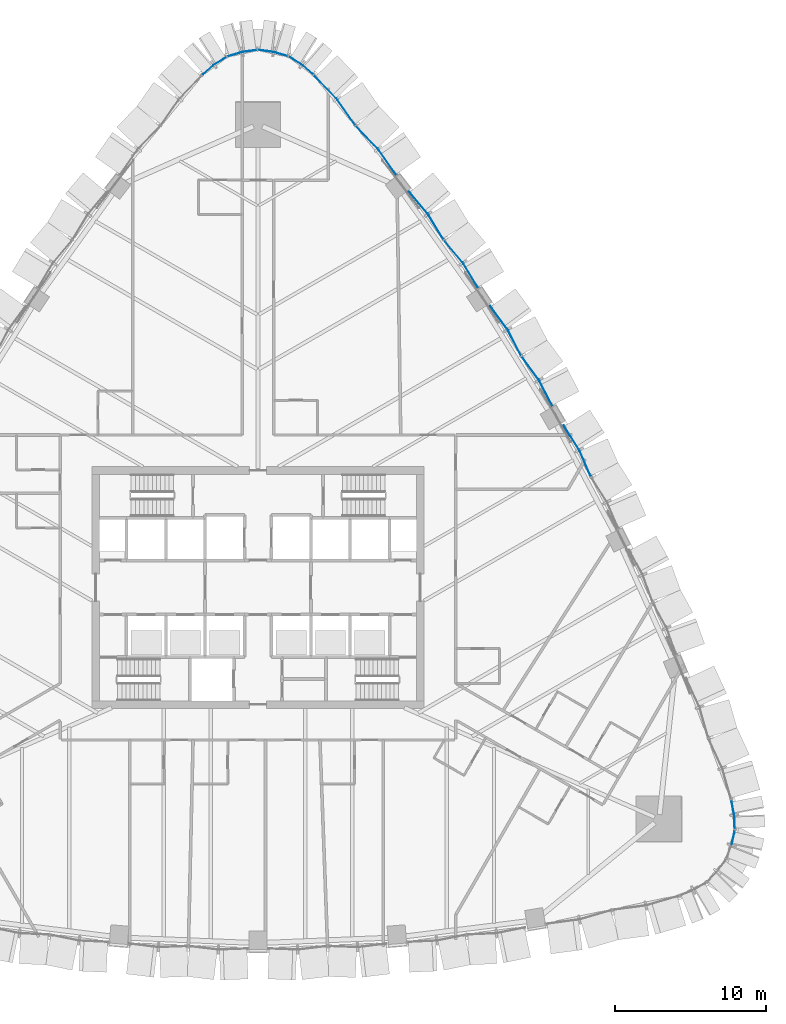
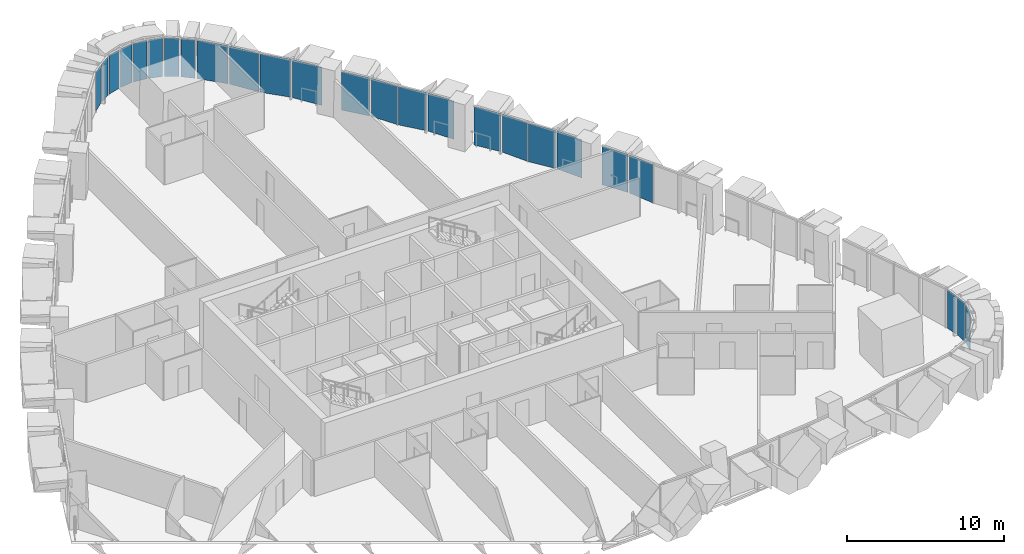
# One storey, part 12 of 23: 25 plates, 10 elements without a shape of their own.
"""IFC4 building model written with IfcOpenShell, lengths in metres."""

from ifc_helpers import new_model, si_unit, direction, frame, origin, place, context, subcontext, project, spatial, polyline, outline, extrude, material, layer, layer_set, type_object, element, aggregate, save


model = new_model("IFC4")

# Units and contexts
model_context = context("Model", 3, precision=1e-05, world=origin(), true_north=direction((0.0, 1.0)))
body_context = subcontext(model_context, "Body", "Model", "MODEL_VIEW")
ifc_project = project(units=[si_unit("LENGTHUNIT", "METRE"), si_unit("AREAUNIT", "SQUARE_METRE"), si_unit("VOLUMEUNIT", "CUBIC_METRE"), si_unit("PLANEANGLEUNIT", "RADIAN"), si_unit("MASSUNIT", "GRAM", prefix="KILO")], contexts=[model_context])

# Site, building, storey
site_placement = place(None, origin())
site = spatial("IfcSite", under=ifc_project, at=site_placement, CompositionType="ELEMENT")
building_placement = place(site_placement, origin())
building = spatial("IfcBuilding", under=site, at=building_placement, Name="Sierra Prisma Convention Tower", CompositionType="ELEMENT")
storey_placement = place(building_placement, frame((0.0, 0.0, 70.199951171875)))
storey = spatial("IfcBuildingStorey", under=building, at=storey_placement, Name="L13", CompositionType="ELEMENT", Elevation=70.199951171875)

# Curtain wall, plate
ifc_material_1 = material(Name="Aluminium and glass curtain wall", Category="aluminium")
ifc_layer_1 = layer(ifc_material_1, 0.179931640625)
ifc_layer_set_1 = layer_set([ifc_layer_1], Name="CW-2 Faceted crystal curtain wall")
curtain_wall_type = type_object("IfcCurtainWallType", Name="CW-2 Faceted crystal curtain wall", PredefinedType="NOTDEFINED", material=ifc_layer_set_1)
curtain_wall_1_placement = place(storey_placement, origin())
curtain_wall_1 = element("IfcCurtainWall", 1, at=curtain_wall_1_placement, inside=storey, type_object=curtain_wall_type, Name="CW-2 SE3 L13", PredefinedType="NOTDEFINED")
ifc_material_2 = material(Name="Tinted glass bronze-grey IGU", Category="glass")
ifc_layer_2 = layer(ifc_material_2, 0.028076171875)
ifc_layer_set_2 = layer_set([ifc_layer_2], Name="CW-2 crystal pane")
plate_type = type_object("IfcPlateType", Name="CW-2 crystal pane", PredefinedType="CURTAIN_PANEL", material=ifc_layer_set_2)
plate_1_placement = place(storey_placement, frame((31.572509765625, -16.132080078125, 0.0), z_axis=(0.977063170927, -0.212949665458, 0.0), x_axis=(-0.212949665458, -0.977063170927, 0.0)))
plate_1 = element("IfcPlate", 2, at=plate_1_placement, type_object=plate_type, Name="CW-2 pane SE3.1.2", PredefinedType="CURTAIN_PANEL", context=body_context, shape_type="SweptSolid", body=[
    extrude(outline(polyline([(0.0, 0.0), (0.877050347663102, 0.0), (0.877050347663102, -2.97998046875), (0.0, -2.97998046875), (0.0, 0.0)])), origin(), (0.0, 0.0, -1.0), 0.028076171875),
])
aggregate(curtain_wall_1, [plate_1])

# Curtain wall, plates
curtain_wall_2_placement = place(storey_placement, origin())
curtain_wall_2 = element("IfcCurtainWall", 3, at=curtain_wall_2_placement, inside=storey, type_object=curtain_wall_type, Name="CW-2 SE4 L13", PredefinedType="NOTDEFINED")
plate_2_placement = place(storey_placement, frame((31.58447265625, -15.995361328125, 0.0), z_axis=(0.999240474826, 0.038967595119, 0.0), x_axis=(-0.038967595119, 0.999240474826, 0.0)))
plate_2 = element("IfcPlate", 4, at=plate_2_placement, type_object=plate_type, Name="CW-2 pane SE4.1.1", PredefinedType="CURTAIN_PANEL", context=body_context, shape_type="SweptSolid", body=[
    extrude(outline(polyline([(0.0, 0.0), (0.8771310468609065, 0.0), (0.8771310468609065, 2.97998046875), (0.0, 2.97998046875), (0.0, 0.0)])), origin(), (0.0, 0.0, -1.0), 0.028076171875),
])
plate_3_placement = place(storey_placement, frame((31.3642578125, -14.1298828125, 0.0), z_axis=(0.980836754729, 0.194831364447, 0.0), x_axis=(0.194831364447, -0.980836754729, 0.0)))
plate_3 = element("IfcPlate", 5, at=plate_3_placement, type_object=plate_type, Name="CW-2 pane SE4.1.2", PredefinedType="CURTAIN_PANEL", context=body_context, shape_type="SweptSolid", body=[
    extrude(outline(polyline([(0.0, 0.0), (0.8771608102486869, 0.0), (0.8771608102486869, -2.97998046875), (0.0, -2.97998046875), (0.0, 0.0)])), origin(), (0.0, 0.0, -1.0), 0.028076171875),
])
aggregate(curtain_wall_2, [plate_2, plate_3])

curtain_wall_3_placement = place(storey_placement, origin())
curtain_wall_3 = element("IfcCurtainWall", 6, at=curtain_wall_3_placement, inside=storey, type_object=curtain_wall_type, Name="CW-2 NE3 L13", PredefinedType="NOTDEFINED")
plate_4_placement = place(storey_placement, frame((22.05224609375, 7.354736328125, 0.0), z_axis=(0.916862772709, 0.399202525068, 0.0), x_axis=(-0.399202525068, 0.916862772709, 0.0)))
plate_4 = element("IfcPlate", 7, at=plate_4_placement, type_object=plate_type, Name="CW-2 pane NE3.2.1", PredefinedType="CURTAIN_PANEL", context=body_context, shape_type="SweptSolid", body=[
    extrude(outline(polyline([(0.0, 0.0), (1.8548943684621555, 0.0), (1.8548943684621555, 2.9799804687499996), (0.0, 2.9799804687499996), (0.0, 0.0)])), origin(), (0.0, 0.0, -1.0), 0.028076171875),
])
plate_5_placement = place(storey_placement, frame((20.25341796875, 10.73388671875, 0.0), z_axis=(0.843157089142, 0.537667297712, 0.0), x_axis=(0.537667297712, -0.843157089142, 0.0)))
plate_5 = element("IfcPlate", 8, at=plate_5_placement, type_object=plate_type, Name="CW-2 pane NE3.2.2", PredefinedType="CURTAIN_PANEL", context=body_context, shape_type="SweptSolid", body=[
    extrude(outline(polyline([(0.0, 0.0), (1.8548914121581297, 0.0), (1.8548914121581297, -2.97998046875), (0.0, -2.97998046875), (0.0, 0.0)])), origin(), (0.0, 0.0, -1.0), 0.028076171875),
])
aggregate(curtain_wall_3, [plate_4, plate_5])

curtain_wall_4_placement = place(storey_placement, origin())
curtain_wall_4 = element("IfcCurtainWall", 9, at=curtain_wall_4_placement, inside=storey, type_object=curtain_wall_type, Name="CW-2 NE4 L13", PredefinedType="NOTDEFINED")
plate_6_placement = place(storey_placement, frame((19.511962890625, 12.01220703125, 0.0), z_axis=(0.888283525772, 0.45929552343, 0.0), x_axis=(-0.45929552343, 0.888283525772, 0.0)))
plate_6 = element("IfcPlate", 10, at=plate_6_placement, type_object=plate_type, Name="CW-2 pane NE4.1.1", PredefinedType="CURTAIN_PANEL", context=body_context, shape_type="SweptSolid", body=[
    extrude(outline(polyline([(0.0, 0.0), (1.876919113946618, 0.0), (1.876919113946618, 2.97998046875), (0.0, 2.97998046875), (0.0, 0.0)])), origin(), (0.0, 0.0, -1.0), 0.028076171875),
])
plate_7_placement = place(storey_placement, frame((17.469482421875, 15.30126953125, 0.0), z_axis=(0.805523167299, 0.592564280854, 0.0), x_axis=(0.592564280854, -0.805523167299, 0.0)))
plate_7 = element("IfcPlate", 11, at=plate_7_placement, type_object=plate_type, Name="CW-2 pane NE4.1.2", PredefinedType="CURTAIN_PANEL", context=body_context, shape_type="SweptSolid", body=[
    extrude(outline(polyline([(0.0, 0.0), (1.8766918337909093, 0.0), (1.8766918337909093, -2.97998046875), (0.0, -2.97998046875), (0.0, 0.0)])), origin(), (0.0, 0.0, -1.0), 0.028076171875),
])
plate_8_placement = place(storey_placement, frame((17.4326171875, 15.36083984375, 0.0), z_axis=(0.888283525772, 0.45929552343, 0.0), x_axis=(-0.45929552343, 0.888283525772, 0.0)))
plate_8 = element("IfcPlate", 12, at=plate_8_placement, type_object=plate_type, Name="CW-2 pane NE4.2.1", PredefinedType="CURTAIN_PANEL", context=body_context, shape_type="SweptSolid", body=[
    extrude(outline(polyline([(0.0, 0.0), (1.876919113946618, 0.0), (1.876919113946618, 2.97998046875), (0.0, 2.97998046875), (0.0, 0.0)])), origin(), (0.0, 0.0, -1.0), 0.028076171875),
])
plate_9_placement = place(storey_placement, frame((15.389892578125, 18.64990234375, 0.0), z_axis=(0.805461072098, 0.592648682894, 0.0), x_axis=(0.592648682894, -0.805461072098, 0.0)))
plate_9 = element("IfcPlate", 13, at=plate_9_placement, type_object=plate_type, Name="CW-2 pane NE4.2.2", PredefinedType="CURTAIN_PANEL", context=body_context, shape_type="SweptSolid", body=[
    extrude(outline(polyline([(0.0, 0.0), (1.8768365131081703, 0.0), (1.8768365131081703, -2.97998046875), (0.0, -2.97998046875), (0.0, 0.0)])), origin(), (0.0, 0.0, -1.0), 0.028076171875),
])
aggregate(curtain_wall_4, [plate_6, plate_7, plate_8, plate_9])

curtain_wall_5_placement = place(storey_placement, origin())
curtain_wall_5 = element("IfcCurtainWall", 14, at=curtain_wall_5_placement, inside=storey, type_object=curtain_wall_type, Name="CW-2 NE5 L13", PredefinedType="NOTDEFINED")
plate_10_placement = place(storey_placement, frame((14.596923828125, 19.832275390625, 0.0), z_axis=(0.855755920394, 0.517379749034, 0.0), x_axis=(-0.517379749034, 0.855755920394, 0.0)))
plate_10 = element("IfcPlate", 15, at=plate_10_placement, type_object=plate_type, Name="CW-2 pane NE5.1.1", PredefinedType="CURTAIN_PANEL", context=body_context, shape_type="SweptSolid", body=[
    extrude(outline(polyline([(0.0, 0.0), (1.890347168740567, 0.0), (1.890347168740567, 2.97998046875), (0.0, 2.97998046875), (0.0, 0.0)])), origin(), (0.0, 0.0, -1.0), 0.028076171875),
])
plate_11_placement = place(storey_placement, frame((12.324462890625, 23.000244140625, 0.0), z_axis=(0.764311375087, 0.644847363267, 0.0), x_axis=(0.644847363267, -0.764311375087, 0.0)))
plate_11 = element("IfcPlate", 16, at=plate_11_placement, type_object=plate_type, Name="CW-2 pane NE5.1.2", PredefinedType="CURTAIN_PANEL", context=body_context, shape_type="SweptSolid", body=[
    extrude(outline(polyline([(0.0, 0.0), (1.890360742811972, 0.0), (1.890360742811972, -2.97998046875), (0.0, -2.97998046875), (0.0, 0.0)])), origin(), (0.0, 0.0, -1.0), 0.028076171875),
])
plate_12_placement = place(storey_placement, frame((12.28369140625, 23.05712890625, 0.0), z_axis=(0.855790486093, 0.517322572399, 0.0), x_axis=(-0.517322572399, 0.855790486093, 0.0)))
plate_12 = element("IfcPlate", 17, at=plate_12_placement, type_object=plate_type, Name="CW-2 pane NE5.2.1", PredefinedType="CURTAIN_PANEL", context=body_context, shape_type="SweptSolid", body=[
    extrude(outline(polyline([(0.0, 0.0), (1.8905560977454985, 0.0), (1.8905560977454985, 2.97998046875), (0.0, 2.97998046875), (0.0, 0.0)])), origin(), (0.0, 0.0, -1.0), 0.028076171875),
])
plate_13_placement = place(storey_placement, frame((10.01123046875, 26.225341796875, 0.0), z_axis=(0.764365071456, 0.644783713766, 0.0), x_axis=(0.644783713766, -0.764365071456, 0.0)))
plate_13 = element("IfcPlate", 18, at=plate_13_placement, type_object=plate_type, Name="CW-2 pane NE5.2.2", PredefinedType="CURTAIN_PANEL", context=body_context, shape_type="SweptSolid", body=[
    extrude(outline(polyline([(0.0, 0.0), (1.8905473488238367, 0.0), (1.8905473488238367, -2.97998046875), (0.0, -2.97998046875), (0.0, 0.0)])), origin(), (0.0, 0.0, -1.0), 0.028076171875),
])
aggregate(curtain_wall_5, [plate_10, plate_11, plate_12, plate_13])

curtain_wall_6_placement = place(storey_placement, origin())
curtain_wall_6 = element("IfcCurtainWall", 19, at=curtain_wall_6_placement, inside=storey, type_object=curtain_wall_type, Name="CW-2 NE6 L13", PredefinedType="NOTDEFINED")
plate_14_placement = place(storey_placement, frame((9.174560546875, 27.3115234375, 0.0), z_axis=(0.819538924219, 0.573023517572, 0.0), x_axis=(-0.573023517572, 0.819538924219, 0.0)))
plate_14 = element("IfcPlate", 20, at=plate_14_placement, type_object=plate_type, Name="CW-2 pane NE6.1.1", PredefinedType="CURTAIN_PANEL", context=body_context, shape_type="SweptSolid", body=[
    extrude(outline(polyline([(0.0, 0.0), (2.0540203273198223, 0.0), (2.0540203273198223, 2.9799804687500004), (0.0, 2.9799804687500004), (0.0, 0.0)])), origin(), (0.0, 0.0, -1.0), 0.028076171875),
])
plate_15_placement = place(storey_placement, frame((6.4892578125, 30.573486328125, 0.0), z_axis=(0.719827326165, 0.6941531679, 0.0), x_axis=(0.6941531679, -0.719827326165, 0.0)))
plate_15 = element("IfcPlate", 21, at=plate_15_placement, type_object=plate_type, Name="CW-2 pane NE6.1.2", PredefinedType="CURTAIN_PANEL", context=body_context, shape_type="SweptSolid", body=[
    extrude(outline(polyline([(0.0, 0.0), (2.0539865204574017, 0.0), (2.0539865204574017, -2.97998046875), (0.0, -2.97998046875), (0.0, 0.0)])), origin(), (0.0, 0.0, -1.0), 0.028076171875),
])
plate_16_placement = place(storey_placement, frame((6.44482421875, 30.62744140625, 0.0), z_axis=(0.819483105738, 0.573103340952, 0.0), x_axis=(-0.573103340952, 0.819483105738, 0.0)))
plate_16 = element("IfcPlate", 22, at=plate_16_placement, type_object=plate_type, Name="CW-2 pane NE6.2.1", PredefinedType="CURTAIN_PANEL", context=body_context, shape_type="SweptSolid", body=[
    extrude(outline(polyline([(0.0, 0.0), (2.054160235383939, 0.0), (2.054160235383939, 2.9799804687500004), (0.0, 2.9799804687500004), (0.0, 0.0)])), origin(), (0.0, 0.0, -1.0), 0.028076171875),
])
plate_17_placement = place(storey_placement, frame((3.75927734375, 33.889404296875, 0.0), z_axis=(0.719767936684, 0.694214748707, 0.0), x_axis=(0.694214748707, -0.719767936684, 0.0)))
plate_17 = element("IfcPlate", 23, at=plate_17_placement, type_object=plate_type, Name="CW-2 pane NE6.2.2", PredefinedType="CURTAIN_PANEL", context=body_context, shape_type="SweptSolid", body=[
    extrude(outline(polyline([(0.0, 0.0), (2.0541559989631564, 0.0), (2.0541559989631564, -2.97998046875), (0.0, -2.97998046875), (0.0, 0.0)])), origin(), (0.0, 0.0, -1.0), 0.028076171875),
])
aggregate(curtain_wall_6, [plate_14, plate_15, plate_16, plate_17])

curtain_wall_7_placement = place(storey_placement, origin())
curtain_wall_7 = element("IfcCurtainWall", 24, at=curtain_wall_7_placement, inside=storey, type_object=curtain_wall_type, Name="CW-2 N1 L13", PredefinedType="NOTDEFINED")
plate_18_placement = place(storey_placement, frame((3.658447265625, 33.985107421875, 0.0), z_axis=(0.655747006109, 0.754980704375, 0.0), x_axis=(-0.754980704375, 0.655747006109, 0.0)))
plate_18 = element("IfcPlate", 25, at=plate_18_placement, type_object=plate_type, Name="CW-2 pane N1.1.1", PredefinedType="CURTAIN_PANEL", context=body_context, shape_type="SweptSolid", body=[
    extrude(outline(polyline([(0.0, 0.0), (0.9102959259651087, 0.0), (0.9102959259651087, 2.97998046875), (0.0, 2.97998046875), (0.0, 0.0)])), origin(), (0.0, 0.0, -1.0), 0.028076171875),
])
plate_19_placement = place(storey_placement, frame((2.094482421875, 35.141357421875, 0.0), z_axis=(0.52951685924, 0.848299413993, 0.0), x_axis=(0.848299413993, -0.52951685924, 0.0)))
plate_19 = element("IfcPlate", 26, at=plate_19_placement, type_object=plate_type, Name="CW-2 pane N1.1.2", PredefinedType="CURTAIN_PANEL", context=body_context, shape_type="SweptSolid", body=[
    extrude(outline(polyline([(0.0, 0.0), (0.9105994001153235, 0.0), (0.9105994001153235, -2.97998046875), (0.0, -2.97998046875), (0.0, 0.0)])), origin(), (0.0, 0.0, -1.0), 0.028076171875),
])
aggregate(curtain_wall_7, [plate_18, plate_19])

curtain_wall_8_placement = place(storey_placement, origin())
curtain_wall_8 = element("IfcCurtainWall", 27, at=curtain_wall_8_placement, inside=storey, type_object=curtain_wall_type, Name="CW-2 N2 L13", PredefinedType="NOTDEFINED")
plate_20_placement = place(storey_placement, frame((1.9697265625, 35.19775390625, 0.0), z_axis=(0.286634423878, 0.958040034157, 0.0), x_axis=(-0.958040034157, 0.286634423878, 0.0)))
plate_20 = element("IfcPlate", 28, at=plate_20_placement, type_object=plate_type, Name="CW-2 pane N2.1.1", PredefinedType="CURTAIN_PANEL", context=body_context, shape_type="SweptSolid", body=[
    extrude(outline(polyline([(0.0, 0.0), (0.9105198342699286, 0.0), (0.9105198342699286, 2.9799804687500004), (0.0, 2.9799804687500004), (0.0, 0.0)])), origin(), (0.0, 0.0, -1.0), 0.028076171875),
])
plate_21_placement = place(storey_placement, frame((0.068359375, 35.607177734375, 0.0), z_axis=(0.133270192631, 0.99107974238, 0.0), x_axis=(0.99107974238, -0.133270192631, 0.0)))
plate_21 = element("IfcPlate", 29, at=plate_21_placement, type_object=plate_type, Name="CW-2 pane N2.1.2", PredefinedType="CURTAIN_PANEL", context=body_context, shape_type="SweptSolid", body=[
    extrude(outline(polyline([(0.0, 0.0), (0.9104653353452766, 0.0), (0.9104653353452766, -2.97998046875), (0.0, -2.97998046875), (0.0, 0.0)])), origin(), (0.0, 0.0, -1.0), 0.028076171875),
])
aggregate(curtain_wall_8, [plate_20, plate_21])

curtain_wall_9_placement = place(storey_placement, origin())
curtain_wall_9 = element("IfcCurtainWall", 30, at=curtain_wall_9_placement, inside=storey, type_object=curtain_wall_type, Name="CW-2 N3 L13", PredefinedType="NOTDEFINED")
plate_22_placement = place(storey_placement, frame((-0.068359375, 35.607177734375, 0.0), z_axis=(-0.133270192631, 0.99107974238, 0.0), x_axis=(-0.99107974238, -0.133270192631, 0.0)))
plate_22 = element("IfcPlate", 31, at=plate_22_placement, type_object=plate_type, Name="CW-2 pane N3.1.1", PredefinedType="CURTAIN_PANEL", context=body_context, shape_type="SweptSolid", body=[
    extrude(outline(polyline([(0.0, 0.0), (0.9104653353452766, 0.0), (0.9104653353452766, 2.97998046875), (0.0, 2.97998046875), (0.0, 0.0)])), origin(), (0.0, 0.0, -1.0), 0.028076171875),
])
plate_23_placement = place(storey_placement, frame((-1.9697265625, 35.19775390625, 0.0), z_axis=(-0.286634423878, 0.958040034157, 0.0), x_axis=(0.958040034157, 0.286634423878, 0.0)))
plate_23 = element("IfcPlate", 32, at=plate_23_placement, type_object=plate_type, Name="CW-2 pane N3.1.2", PredefinedType="CURTAIN_PANEL", context=body_context, shape_type="SweptSolid", body=[
    extrude(outline(polyline([(0.0, 0.0), (0.9105198342699286, 0.0), (0.9105198342699286, -2.9799804687500004), (0.0, -2.9799804687500004), (0.0, 0.0)])), origin(), (0.0, 0.0, -1.0), 0.028076171875),
])
aggregate(curtain_wall_9, [plate_22, plate_23])

curtain_wall_10_placement = place(storey_placement, origin())
curtain_wall_10 = element("IfcCurtainWall", 33, at=curtain_wall_10_placement, inside=storey, type_object=curtain_wall_type, Name="CW-2 N4 L13", PredefinedType="NOTDEFINED")
plate_24_placement = place(storey_placement, frame((-2.094482421875, 35.141357421875, 0.0), z_axis=(-0.52951685924, 0.848299413993, 0.0), x_axis=(-0.848299413993, -0.52951685924, 0.0)))
plate_24 = element("IfcPlate", 34, at=plate_24_placement, type_object=plate_type, Name="CW-2 pane N4.1.1", PredefinedType="CURTAIN_PANEL", context=body_context, shape_type="SweptSolid", body=[
    extrude(outline(polyline([(0.0, 0.0), (0.9105994001153235, 0.0), (0.9105994001153235, 2.97998046875), (0.0, 2.97998046875), (0.0, 0.0)])), origin(), (0.0, 0.0, -1.0), 0.028076171875),
])
plate_25_placement = place(storey_placement, frame((-3.658447265625, 33.985107421875, 0.0), z_axis=(-0.655747006109, 0.754980704375, 0.0), x_axis=(0.754980704375, 0.655747006109, 0.0)))
plate_25 = element("IfcPlate", 35, at=plate_25_placement, type_object=plate_type, Name="CW-2 pane N4.1.2", PredefinedType="CURTAIN_PANEL", context=body_context, shape_type="SweptSolid", body=[
    extrude(outline(polyline([(0.0, 0.0), (0.9102959259651087, 0.0), (0.9102959259651087, -2.97998046875), (0.0, -2.97998046875), (0.0, 0.0)])), origin(), (0.0, 0.0, -1.0), 0.028076171875),
])
aggregate(curtain_wall_10, [plate_24, plate_25])

save(model, "model.ifc")
